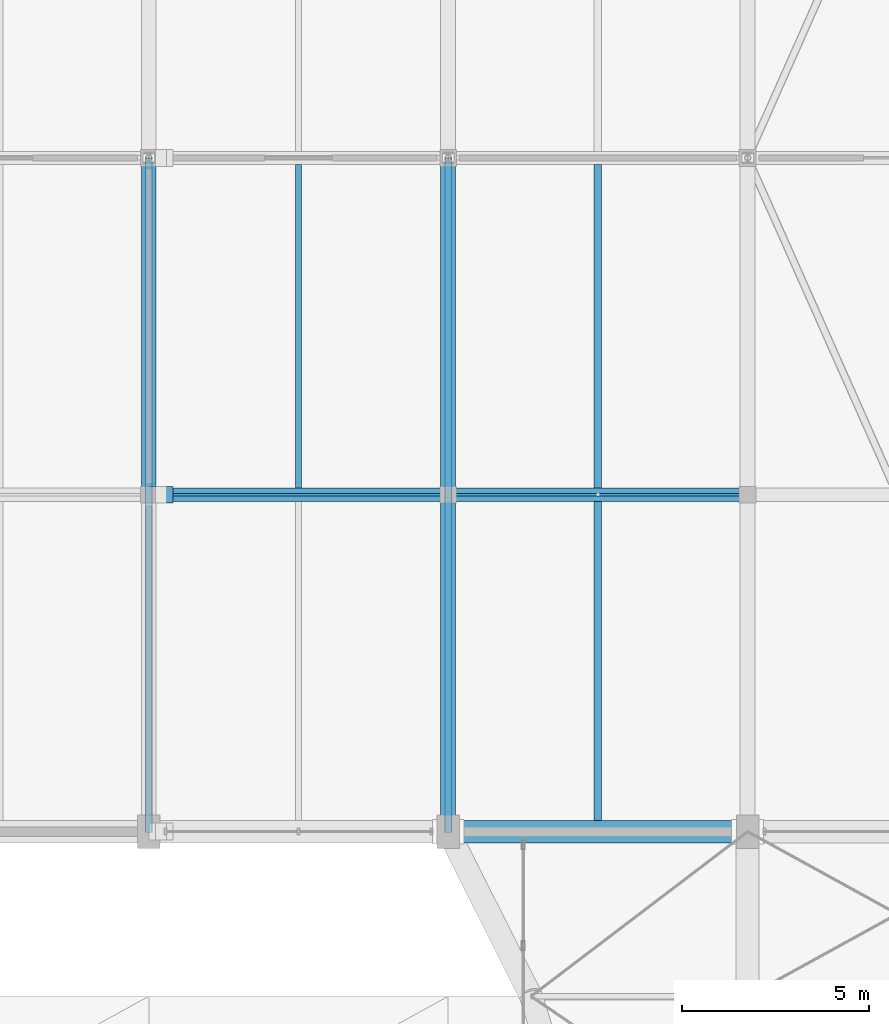
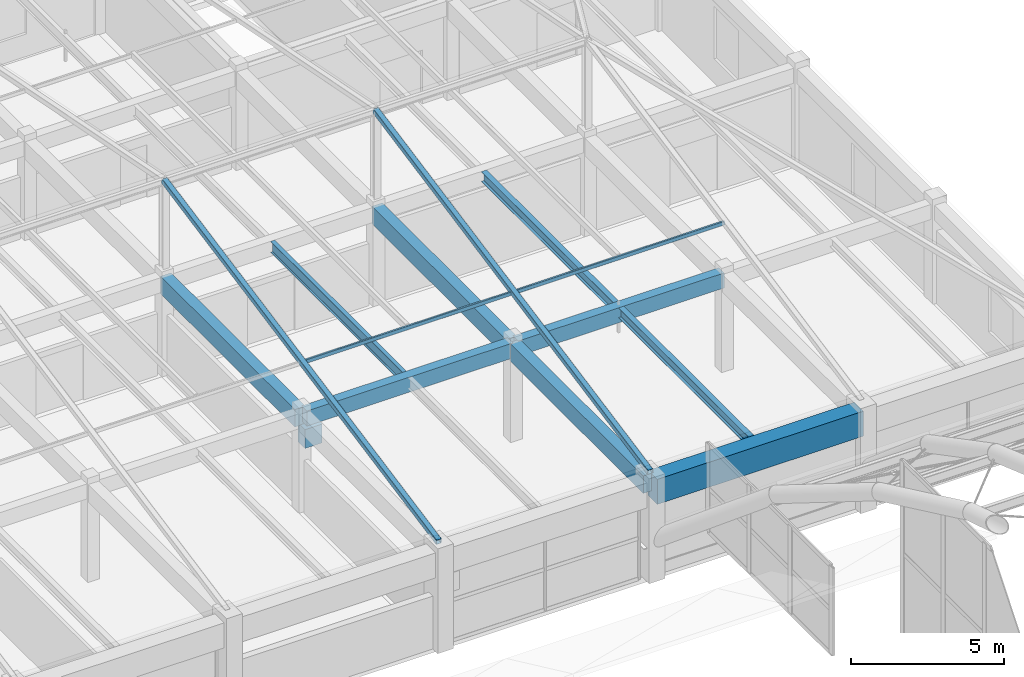
# One storey, part 69 of 126: 10 beams, 4 members.
"""IFC4 building model written with IfcOpenShell, lengths in metres."""

from ifc_helpers import new_model, si_unit, direction, frame, origin, origin_2d, place, context, subcontext, project, spatial, rectangle, hollow_rectangle, i_section, extrude, material, material_profile, profile_set, type_object, element, save


model = new_model("IFC4")

# Units and contexts
model_context = context("Model", 3, precision=1e-05, world=origin(), true_north=direction((0.0, 1.0)))
body_context = subcontext(model_context, "Body", "Model", "MODEL_VIEW")
ifc_project = project(units=[si_unit("LENGTHUNIT", "METRE"), si_unit("AREAUNIT", "SQUARE_METRE"), si_unit("VOLUMEUNIT", "CUBIC_METRE"), si_unit("PLANEANGLEUNIT", "RADIAN"), si_unit("MASSUNIT", "GRAM", prefix="KILO")], contexts=[model_context])

# Site, building, storey
site_placement = place(None, origin())
site = spatial("IfcSite", under=ifc_project, at=site_placement, CompositionType="ELEMENT")
building_placement = place(site_placement, origin())
building = spatial("IfcBuilding", under=site, at=building_placement, Name="Varnabhumi Central Station", CompositionType="ELEMENT")
storey_placement = place(building_placement, frame((0.0, 0.0, 16.199951171875)))
storey = spatial("IfcBuildingStorey", under=building, at=storey_placement, Name="L03", CompositionType="ELEMENT", Elevation=16.199951171875)

# Beams
ifc_material_1 = material(Name="Structural steel E350", Category="steel")
ifc_material_profile_1 = material_profile(ifc_material_1, i_section(OverallWidth=0.14990234375, OverallDepth=0.449951171875, WebThickness=0.009521484375, FlangeThickness=0.017333984375, FilletRadius=0.014892578125, at=origin_2d()), Name="Structural steel E350", Category="steel")
ifc_profile_set_1 = profile_set([ifc_material_profile_1], Name="Structural steel E350")
beam_type_1 = type_object("IfcBeamType", Name="BM-JST-ISMB450", PredefinedType="JOIST", material=ifc_profile_set_1)
beam_1_placement = place(storey_placement, frame((124.0, 89.175048828125, 3.72509765625), z_axis=(0.0, 1.0, 0.0), x_axis=(-1.0, 0.0, 0.0)))
element("IfcBeam", 1, at=beam_1_placement, inside=storey, type_object=beam_type_1, Name="Secondary Joist L03-16/17:L-M", PredefinedType="JOIST", context=body_context, shape_type="SweptSolid", body=[
    extrude(i_section(OverallWidth=0.14990234375, OverallDepth=0.449951171875, WebThickness=0.009521484375, FlangeThickness=0.017333984375, FilletRadius=0.014892578125, at=origin_2d()), origin(), (0.0, 0.0, 1.0), 8.64990234375),
])
ifc_material_2 = material(Name="Concrete M40", Category="concrete")
ifc_material_profile_2 = material_profile(ifc_material_2, rectangle(XDim=0.35009765625, YDim=0.60009765625, at=origin_2d()), Name="Concrete M40", Category="concrete")
ifc_profile_set_2 = profile_set([ifc_material_profile_2], Name="Concrete M40")
beam_type_2 = type_object("IfcBeamType", Name="BM-RC-350x600", PredefinedType="BEAM", material=ifc_profile_set_2)
for number, where, z_axis, x_axis, name in (
    (2, (120.10009765625, 89.0, 3.650146484375), (1.0, 0.0, 0.0), (0.0, 1.0, 0.0), "Beam L03-L:16-17"),
    (3, (128.10009765625, 89.0, 3.650146484375), (1.0, 0.0, 0.0), (0.0, 1.0, 0.0), "Beam L03-L:17-18"),
):
    element("IfcBeam", number, at=place(storey_placement, frame(where, z_axis=z_axis, x_axis=x_axis)), inside=storey, type_object=beam_type_2, Name=name, PredefinedType="BEAM", context=body_context, shape_type="SweptSolid", body=[
        extrude(rectangle(XDim=0.35009765625, YDim=0.60009765625, at=origin_2d()), origin(), (0.0, 0.0, 1.0), 7.7998046875),
    ])
ifc_material_profile_3 = material_profile(ifc_material_2, rectangle(XDim=0.449951171875, YDim=0.75, at=origin_2d()), Name="Concrete M40", Category="concrete")
ifc_profile_set_3 = profile_set([ifc_material_profile_3], Name="Concrete M40")
beam_type_3 = type_object("IfcBeamType", Name="BM-RC-450x750", PredefinedType="BEAM", material=ifc_profile_set_3)
beam_2_placement = place(storey_placement, frame((120.0, 89.0, 2.89501953125), z_axis=(1.0, 0.0, 0.0), x_axis=(0.0, 1.0, 0.0)))
element("IfcBeam", 4, at=beam_2_placement, inside=storey, type_object=beam_type_3, Name="Movement Joint 650mm Corbel Seat L03-L-16", PredefinedType="BEAM", context=body_context, shape_type="SweptSolid", body=[
    extrude(rectangle(XDim=0.449951171875, YDim=0.75, at=origin_2d()), origin(), (0.0, 0.0, 1.0), 0.64990234375),
])
ifc_material_3 = material(Name="Concrete M50", Category="concrete")
ifc_material_profile_4 = material_profile(ifc_material_3, rectangle(XDim=0.60009765625, YDim=1.0, at=origin_2d()), Name="Concrete M50", Category="concrete")
ifc_profile_set_4 = profile_set([ifc_material_profile_4], Name="Concrete M50")
beam_type_4 = type_object("IfcBeamType", Name="BM-RC-600x1000", PredefinedType="BEAM", material=ifc_profile_set_4)
beam_3_placement = place(storey_placement, frame((128.10009765625, 80.0, 3.449951171875), z_axis=(1.0, 0.0, 0.0), x_axis=(0.0, 1.0, 0.0)))
element("IfcBeam", 5, at=beam_3_placement, inside=storey, type_object=beam_type_4, Name="Beam L03-K:17-18", PredefinedType="BEAM", context=body_context, shape_type="SweptSolid", body=[
    extrude(rectangle(XDim=0.60009765625, YDim=1.0, at=origin_2d()), origin(), (0.0, 0.0, 1.0), 7.7998046875),
])
ifc_material_profile_5 = material_profile(ifc_material_2, rectangle(XDim=0.39990234375, YDim=0.699951171875, at=origin_2d()), Name="Concrete M40", Category="concrete")
ifc_profile_set_5 = profile_set([ifc_material_profile_5], Name="Concrete M40")
beam_type_5 = type_object("IfcBeamType", Name="BM-RC-700x400", PredefinedType="BEAM", material=ifc_profile_set_5)
for number, where, z_axis, x_axis, name in (
    (6, (128.0, 80.10009765625, 3.60009765625), (0.0, 1.0, 0.0), (-1.0, 0.0, 0.0), "Beam L03-17:K-L"),
    (7, (120.0, 89.10009765625, 3.60009765625), (0.0, 1.0, 0.0), (-1.0, 0.0, 0.0), "Beam L03-16:L-M"),
    (8, (128.0, 89.10009765625, 3.60009765625), (0.0, 1.0, 0.0), (-1.0, 0.0, 0.0), "Beam L03-17:L-M"),
):
    element("IfcBeam", number, at=place(storey_placement, frame(where, z_axis=z_axis, x_axis=x_axis)), inside=storey, type_object=beam_type_5, Name=name, PredefinedType="BEAM", context=body_context, shape_type="SweptSolid", body=[
        extrude(rectangle(XDim=0.39990234375, YDim=0.699951171875, at=origin_2d()), origin(), (0.0, 0.0, 1.0), 8.7998046875),
    ])
ifc_material_profile_6 = material_profile(ifc_material_1, i_section(OverallWidth=0.199951171875, OverallDepth=0.39990234375, WebThickness=0.008544921875, FlangeThickness=0.012939453125, FilletRadius=0.012939453125, at=origin_2d()), Name="Structural steel E350", Category="steel")
ifc_profile_set_6 = profile_set([ifc_material_profile_6], Name="Structural steel E350")
beam_type_6 = type_object("IfcBeamType", Name="BM-SEC-ISWB400", PredefinedType="JOIST", material=ifc_profile_set_6)
beam_4_placement = place(storey_placement, frame((132.0, 80.300048828125, 3.75), z_axis=(0.0, 1.0, 0.0), x_axis=(-1.0, 0.0, 0.0)))
element("IfcBeam", 9, at=beam_4_placement, inside=storey, type_object=beam_type_6, Name="Secondary Joist L03-17/18:K-L", PredefinedType="JOIST", context=body_context, shape_type="SweptSolid", body=[
    extrude(i_section(OverallWidth=0.199951171875, OverallDepth=0.39990234375, WebThickness=0.008544921875, FlangeThickness=0.012939453125, FilletRadius=0.012939453125, at=origin_2d()), origin(), (0.0, 0.0, 1.0), 8.52490234375),
])
beam_5_placement = place(storey_placement, frame((132.0, 89.175048828125, 3.75), z_axis=(0.0, 1.0, 0.0), x_axis=(-1.0, 0.0, 0.0)))
element("IfcBeam", 10, at=beam_5_placement, inside=storey, type_object=beam_type_6, Name="Secondary Joist L03-17/18:L-M", PredefinedType="JOIST", context=body_context, shape_type="SweptSolid", body=[
    extrude(i_section(OverallWidth=0.199951171875, OverallDepth=0.39990234375, WebThickness=0.008544921875, FlangeThickness=0.012939453125, FilletRadius=0.012939453125, at=origin_2d()), origin(), (0.0, 0.0, 1.0), 8.64990234375),
])

# Members
ifc_material_profile_7 = material_profile(ifc_material_1, hollow_rectangle(XDim=0.074951171875, YDim=0.14990234375, WallThickness=0.006103515625, InnerFilletRadius=0.006103515625, OuterFilletRadius=0.011962890625, at=origin_2d()), Name="Structural steel E350", Category="steel")
ifc_profile_set_7 = profile_set([ifc_material_profile_7], Name="Structural steel E350")
member_type_1 = type_object("IfcMemberType", Name="MBR-PURL-RHS150", PredefinedType="PURLIN", material=ifc_profile_set_7)
for number, where, z_axis, x_axis, name in (
    (11, (120.0, 89.0, 5.824951171875), (1.0, 0.0, 0.0), (0.0, 1.0, 0.0), "Mission Roof Purlin NW4-4-S"),
    (12, (128.0, 89.0, 5.824951171875), (1.0, 0.0, 0.0), (0.0, 1.0, 0.0), "Mission Roof Purlin NW4-5-S"),
):
    element("IfcMember", number, at=place(storey_placement, frame(where, z_axis=z_axis, x_axis=x_axis)), inside=storey, type_object=member_type_1, Name=name, PredefinedType="PURLIN", context=body_context, shape_type="SweptSolid", body=[
        extrude(hollow_rectangle(XDim=0.074951171875, YDim=0.14990234375, WallThickness=0.006103515625, InnerFilletRadius=0.006103515625, OuterFilletRadius=0.011962890625, at=origin_2d()), origin(), (0.0, 0.0, 1.0), 8.0),
    ])
ifc_material_profile_8 = material_profile(ifc_material_1, hollow_rectangle(XDim=0.199951171875, YDim=0.199951171875, WallThickness=0.010009765625, InnerFilletRadius=0.010009765625, OuterFilletRadius=0.02001953125, at=origin_2d()), Name="Structural steel E350", Category="steel")
ifc_profile_set_8 = profile_set([ifc_material_profile_8], Name="Structural steel E350")
member_type_2 = type_object("IfcMemberType", Name="MBR-RAFT-SHS200", PredefinedType="RAFTER", material=ifc_profile_set_8)
for number, where, z_axis, x_axis, name in (
    (13, (120.0, 80.0, 4.110107421875), (0.0, 0.981100761594, 0.193497533832), (-1.0, 0.0, 0.0), "Mission Roof South Rafter NW4-4"),
    (14, (128.0, 80.0, 4.110107421875), (0.0, 0.981100761594, 0.193497533832), (-1.0, 0.0, 0.0), "Mission Roof South Rafter NW4-5"),
):
    element("IfcMember", number, at=place(storey_placement, frame(where, z_axis=z_axis, x_axis=x_axis)), inside=storey, type_object=member_type_2, Name=name, PredefinedType="RAFTER", context=body_context, shape_type="SweptSolid", body=[
        extrude(hollow_rectangle(XDim=0.199951171875, YDim=0.199951171875, WallThickness=0.010009765625, InnerFilletRadius=0.010009765625, OuterFilletRadius=0.02001953125, at=origin_2d()), origin(), (0.0, 0.0, 1.0), 18.3466796875),
    ])

save(model, "model.ifc")
